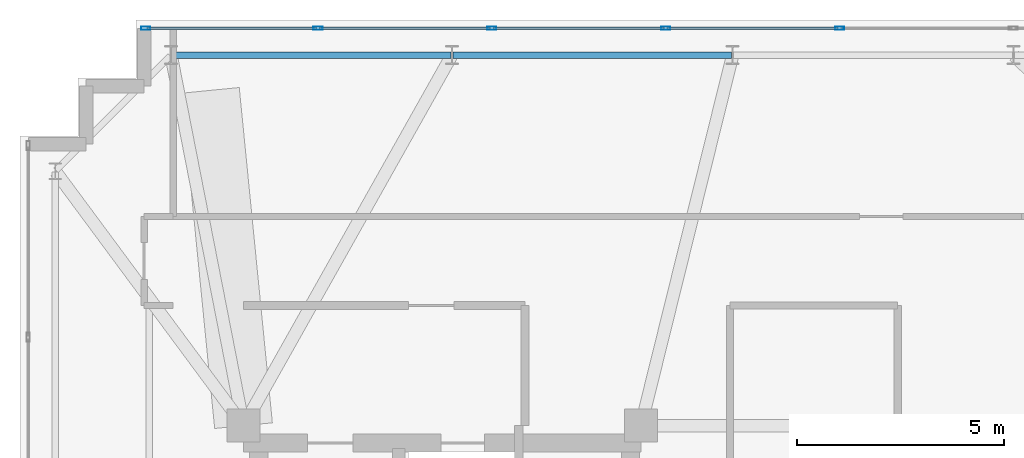
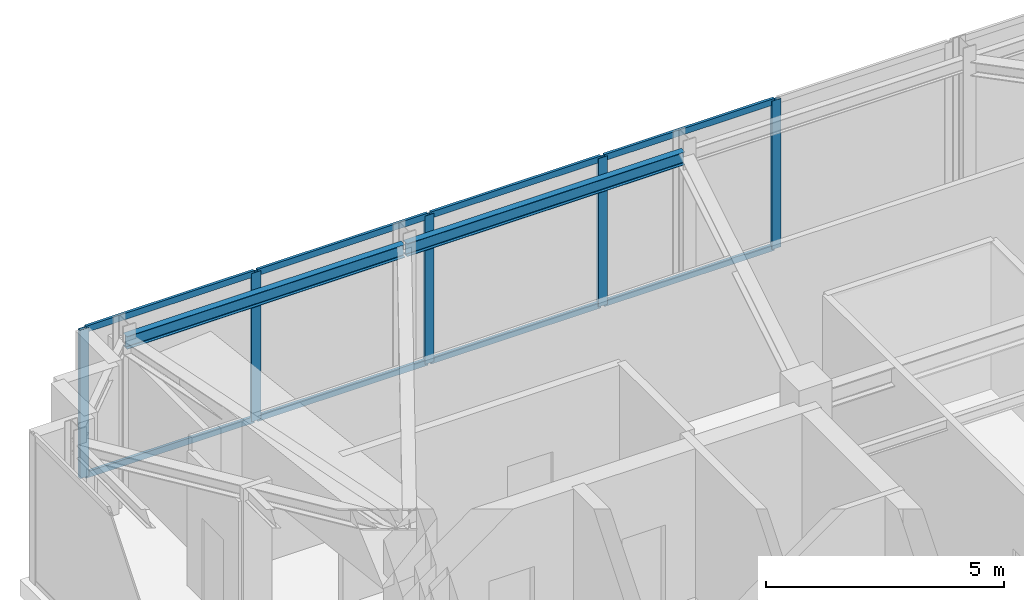
# One storey, part 18 of 27: 13 members, 2 beams, 1 element without a shape of its own.
"""IFC4 building model written with IfcOpenShell, lengths in metres."""

import ifcopenshell
import ifcopenshell.guid

model = None  # the IFC model being written
_history = None  # IfcOwnerHistory: only IFC2X3 demands one
_inside = {}  # id of a spatial element -> (the spatial element, [elements in it])
_under = {}  # id of a project, library or spatial element -> (it, [spatial elements below it])
_declared = {}  # id of a project -> (the project, [libraries it declares])
_typed = {}  # id of a type object -> (the type object, [elements of that type])
_made_of = {}  # id of a material, layer set ... -> (it, [elements and type objects made of it])


def new_model(schema):
    """Start an empty IFC model of exactly this schema.

    Asked for "IFC4X3", IfcOpenShell would pick the latest addendum, in which some entities
    have other attributes; the version numbers below select the first issue.
    IFC2X3 requires an IfcOwnerHistory on every rooted entity: one is made here for all.
    """
    global model, _history
    if schema == "IFC4X3":
        model = ifcopenshell.file(schema_version=(4, 3, 0, 0))
    else:
        model = ifcopenshell.file(schema=schema)
    _inside.clear()
    _under.clear()
    _declared.clear()
    _typed.clear()
    _made_of.clear()
    _history = None
    if model.schema == "IFC2X3":
        org = make("IfcOrganization", Name="unknown")
        user = make(
            "IfcPersonAndOrganization",
            ThePerson=make("IfcPerson", FamilyName="unknown"),
            TheOrganization=org,
        )
        app = make(
            "IfcApplication",
            ApplicationDeveloper=org,
            Version="unknown",
            ApplicationFullName="unknown",
            ApplicationIdentifier="unknown",
        )
        _history = make(
            "IfcOwnerHistory",
            OwningUser=user,
            OwningApplication=app,
            ChangeAction="ADDED",
            CreationDate=0,
        )
    return model


def make(cls, **values):
    """One entity of the class cls with the attributes given. An attribute that is None is left unset."""
    return model.create_entity(
        cls, **{name: value for name, value in values.items() if value is not None}
    )


def rooted(cls, **values):
    """An entity with a GlobalId (a new one), such as an element, a storey or a relation."""
    return make(cls, GlobalId=ifcopenshell.guid.new(), OwnerHistory=_history, **values)


def si_unit(unit_type, name, prefix=None):
    """IfcSIUnit, for example si_unit("LENGTHUNIT", "METRE", prefix="MILLI")."""
    return make("IfcSIUnit", UnitType=unit_type, Prefix=prefix, Name=name)


def assignment(units):
    """IfcUnitAssignment: the units of a project."""
    return None if units is None else make("IfcUnitAssignment", Units=units)


def point(xyz):
    """IfcCartesianPoint."""
    return None if xyz is None else make("IfcCartesianPoint", Coordinates=xyz)


def direction(xyz):
    """IfcDirection."""
    return None if xyz is None else make("IfcDirection", DirectionRatios=xyz)


def frame(location, z_axis=None, x_axis=None):
    """IfcAxis2Placement3D, a coordinate frame: its origin and axes. An axis left out is left unset."""
    return make(
        "IfcAxis2Placement3D",
        Location=point(location),
        Axis=direction(z_axis),
        RefDirection=direction(x_axis),
    )


def frame_2d(location, x_axis=None):
    """IfcAxis2Placement2D, a coordinate frame in the plane: its origin and x axis."""
    return make(
        "IfcAxis2Placement2D", Location=point(location), RefDirection=direction(x_axis)
    )


def origin():
    """The frame at (0, 0, 0) with its axes left unset."""
    return frame((0.0, 0.0, 0.0))


def origin_2d():
    """The frame at (0, 0) in the plane with its x axis left unset."""
    return frame_2d((0.0, 0.0))


def place(relative_to, where):
    """IfcLocalPlacement: puts the frame where relative to a parent placement (None: the world)."""
    return make(
        "IfcLocalPlacement", PlacementRelTo=relative_to, RelativePlacement=where
    )


def context(
    kind, dimensions, precision=None, world=None, true_north=None, identifier=None
):
    """IfcGeometricRepresentationContext, for example the 3D "Model" context."""
    return make(
        "IfcGeometricRepresentationContext",
        ContextIdentifier=identifier,
        ContextType=kind,
        CoordinateSpaceDimension=dimensions,
        Precision=precision,
        WorldCoordinateSystem=world,
        TrueNorth=true_north,
    )


def subcontext(parent, identifier, kind, view, scale=None):
    """IfcGeometricRepresentationSubContext, for example "Body" below "Model"."""
    return make(
        "IfcGeometricRepresentationSubContext",
        ContextIdentifier=identifier,
        ContextType=kind,
        ParentContext=parent,
        TargetScale=scale,
        TargetView=view,
    )


def project(units=None, contexts=None):
    """IfcProject with its units and contexts."""
    return rooted(
        "IfcProject",
        Name="project",
        RepresentationContexts=contexts,
        UnitsInContext=assignment(units),
    )


def spatial(cls, under=None, at=None, **own):
    """A site, building, storey or space (cls), placed at a placement, below another one or the project."""
    s = rooted(cls, ObjectPlacement=at, **own)
    if under is not None:
        _under.setdefault(under.id(), (under, []))[1].append(s)
    return s


def profile(cls, at=None, kind="AREA", **sizes):
    """A parametric profile (cls). Its sizes go by their IFC names, for example OverallWidth=200.0."""
    return make(cls, ProfileType=kind, Position=at, **sizes)


def hollow_rectangle(**sizes):
    """IfcRectangleHollowProfileDef."""
    return profile("IfcRectangleHollowProfileDef", **sizes)


def i_section(**sizes):
    """IfcIShapeProfileDef."""
    return profile("IfcIShapeProfileDef", **sizes)


def extrude(swept, where, along, depth):
    """IfcExtrudedAreaSolid: the profile swept, set in the frame where, extruded along a direction by depth."""
    return make(
        "IfcExtrudedAreaSolid",
        SweptArea=swept,
        Position=where,
        ExtrudedDirection=direction(along),
        Depth=depth,
    )


def shape(context_of_items, identifier, shape_type, items):
    """IfcShapeRepresentation: the items that make up one representation, for example the "Body"."""
    return make(
        "IfcShapeRepresentation",
        ContextOfItems=context_of_items,
        RepresentationIdentifier=identifier,
        RepresentationType=shape_type,
        Items=items,
    )


def material(Name=None, Category=None):
    """IfcMaterial."""
    return make("IfcMaterial", Name=Name, Category=Category)


def layer(
    of_material, thickness, ventilated=None, Name=None, Category=None, Priority=None
):
    """IfcMaterialLayer: one layer of a wall or slab, of a material (None: an air gap)."""
    return make(
        "IfcMaterialLayer",
        Material=of_material,
        LayerThickness=thickness,
        IsVentilated=ventilated,
        Name=Name,
        Category=Category,
        Priority=Priority,
    )


def layer_set(layers, Name=None):
    """IfcMaterialLayerSet."""
    return make("IfcMaterialLayerSet", MaterialLayers=layers, LayerSetName=Name)


def material_profile(
    of_material, cross_section, Name=None, Category=None, Priority=None
):
    """IfcMaterialProfile: a cross section and its material."""
    return make(
        "IfcMaterialProfile",
        Name=Name,
        Material=of_material,
        Profile=cross_section,
        Priority=Priority,
        Category=Category,
    )


def profile_set(profiles, Name=None, composite=None):
    """IfcMaterialProfileSet."""
    return make(
        "IfcMaterialProfileSet",
        Name=Name,
        MaterialProfiles=profiles,
        CompositeProfile=composite,
    )


def made_of(thing, what):
    """Note that an element or type object is made of a material, layer set ...; save() writes the relation."""
    if what is not None:
        _made_of.setdefault(what.id(), (what, []))[1].append(thing)
    return thing


def type_object(cls, material=None, **own):
    """A type object (cls), such as IfcWallType, which elements share."""
    return made_of(rooted(cls, **own), material)


def element(
    cls,
    number,
    at=None,
    inside=None,
    cuts=None,
    type_object=None,
    material=None,
    context=None,
    identifier="Body",
    shape_type=None,
    held_by="IfcProductDefinitionShape",
    body=None,
    shapes=None,
    **own,
):
    """One element of the class cls, such as IfcWall. Its Tag is "e" and its number.

    at: its placement. inside: the storey or other place that contains it. cuts: it is an
    opening in that element (IfcRelVoidsElement). A single representation is given by context,
    identifier, shape_type and body (its items); several are given by shapes. held_by: the class
    of the entity that holds the representations. save() writes the other relations.
    """
    e = rooted(cls, Tag="e%d" % number, ObjectPlacement=at, **own)
    if body is not None:
        shapes = [shape(context, identifier, shape_type, body)]
    if shapes is not None:
        e.Representation = make(held_by, Representations=shapes)
    if inside is not None:
        _inside.setdefault(inside.id(), (inside, []))[1].append(e)
    if cuts is not None:
        rooted(
            "IfcRelVoidsElement", RelatingBuildingElement=cuts, RelatedOpeningElement=e
        )
    if type_object is not None:
        _typed.setdefault(type_object.id(), (type_object, []))[1].append(e)
    return made_of(e, material)


def aggregate(whole, parts):
    """IfcRelAggregates: a whole, such as a stair, and the parts it consists of."""
    return rooted("IfcRelAggregates", RelatingObject=whole, RelatedObjects=parts)


def save(model, path):
    """Write the relations noted so far, then the file.

    IfcRelAggregates (storeys below a building ...), IfcRelContainedInSpatialStructure (elements
    in a storey), IfcRelDefinesByType, IfcRelAssociatesMaterial and IfcRelDeclares: one each for
    every whole, place, type object, material and project.
    """
    for whole, parts in _under.values():
        aggregate(whole, parts)
    for where, things in _inside.values():
        rooted(
            "IfcRelContainedInSpatialStructure",
            RelatedElements=things,
            RelatingStructure=where,
        )
    for kind, things in _typed.values():
        rooted("IfcRelDefinesByType", RelatedObjects=things, RelatingType=kind)
    for what, things in _made_of.values():
        rooted("IfcRelAssociatesMaterial", RelatedObjects=things, RelatingMaterial=what)
    for by, libraries in _declared.values():
        rooted("IfcRelDeclares", RelatingContext=by, RelatedDefinitions=libraries)
    model.write(path)


model = new_model("IFC4")

# Units and contexts
model_context = context("Model", 3, precision=1e-05, world=origin(), true_north=direction((0.0, 1.0)))
body_context = subcontext(model_context, "Body", "Model", "MODEL_VIEW")
ifc_project = project(units=[si_unit("LENGTHUNIT", "METRE"), si_unit("AREAUNIT", "SQUARE_METRE"), si_unit("VOLUMEUNIT", "CUBIC_METRE"), si_unit("PLANEANGLEUNIT", "RADIAN"), si_unit("MASSUNIT", "GRAM", prefix="KILO")], contexts=[model_context])

# Site, building, storey
site_placement = place(None, origin())
site = spatial("IfcSite", under=ifc_project, at=site_placement, CompositionType="ELEMENT")
building_placement = place(site_placement, origin())
building = spatial("IfcBuilding", under=site, at=building_placement, Name="Qobustan Lattice House", CompositionType="ELEMENT")
storey_placement = place(building_placement, frame((0.0, 0.0, 266.0)))
storey = spatial("IfcBuildingStorey", under=building, at=storey_placement, Name="L75", CompositionType="ELEMENT", Elevation=266.0)

# Beams
ifc_material_1 = material(Name="Steel S355", Category="steel")
ifc_material_profile_1 = material_profile(ifc_material_1, i_section(OverallWidth=0.159912109375, OverallDepth=0.330078125, WebThickness=0.007568359375, FlangeThickness=0.011474609375, FilletRadius=0.01806640625, at=origin_2d()), Name="IPE330")
ifc_profile_set_1 = profile_set([ifc_material_profile_1], Name="Steel S355")
beam_type = type_object("IfcBeamType", Name="BM-SPD-IPE330", PredefinedType="SPANDREL", material=ifc_profile_set_1)
beam_1_placement = place(storey_placement, frame((-7.00830078125, 14.550048828125, 3.635009765625), z_axis=(-1.0, 0.0, 0.0), x_axis=(0.0, -1.0, 0.0)))
element("IfcBeam", 1, at=beam_1_placement, inside=storey, type_object=beam_type, Name="L75 perimeter spandrel N5-N6", PredefinedType="SPANDREL", context=body_context, shape_type="SweptSolid", body=[
    extrude(i_section(OverallWidth=0.159912109375, OverallDepth=0.330078125, WebThickness=0.007568359375, FlangeThickness=0.011474609375, FilletRadius=0.01806640625, at=origin_2d()), origin(), (0.0, 0.0, 1.0), 6.7333984375),
])
beam_2_placement = place(storey_placement, frame((-13.791748046875, 14.550048828125, 3.635009765625), z_axis=(-1.0, 0.0, 0.0), x_axis=(0.0, -1.0, 0.0)))
element("IfcBeam", 2, at=beam_2_placement, inside=storey, type_object=beam_type, Name="L75 perimeter spandrel N6-N7", PredefinedType="SPANDREL", context=body_context, shape_type="SweptSolid", body=[
    extrude(i_section(OverallWidth=0.159912109375, OverallDepth=0.330078125, WebThickness=0.007568359375, FlangeThickness=0.011474609375, FilletRadius=0.01806640625, at=origin_2d()), origin(), (0.0, 0.0, 1.0), 6.733154296875),
])

# Curtain wall, members
ifc_material_2 = material(Name="Anodised aluminium and low-E glazing", Category="aluminium")
ifc_layer = layer(ifc_material_2, 0.219970703125)
ifc_layer_set = layer_set([ifc_layer], Name="Anodised aluminium and low-E glazing")
curtain_wall_type = type_object("IfcCurtainWallType", Name="CW-OBS-01", PredefinedType="USERDEFINED", material=ifc_layer_set)
curtain_wall_placement = place(storey_placement, origin())
curtain_wall = element("IfcCurtainWall", 3, at=curtain_wall_placement, inside=storey, type_object=curtain_wall_type, Name="L75 N panoramic observation curtain wall", ObjectType="CURTAIN WALL", PredefinedType="USERDEFINED")
ifc_material_3 = material(Name="Anodised aluminium EN AW-6063 T6", Category="aluminium")
ifc_material_profile_2 = material_profile(ifc_material_3, hollow_rectangle(XDim=0.080078125, YDim=0.219970703125, WallThickness=0.0048828125, at=origin_2d()), Name="CWM-220x80")
ifc_profile_set_2 = profile_set([ifc_material_profile_2], Name="Anodised aluminium EN AW-6063 T6")
member_type_1 = type_object("IfcMemberType", Name="CWM-MAIN-220", PredefinedType="MULLION", material=ifc_profile_set_2)
member_1_placement = place(storey_placement, frame((-21.159912109375, 15.199951171875, 0.0), z_axis=(0.0, 0.0, 1.0), x_axis=(0.0, 1.0, 0.0)))
member_1 = element("IfcMember", 4, at=member_1_placement, type_object=member_type_1, Name="CW-OB mullion 1", PredefinedType="MULLION", context=body_context, shape_type="SweptSolid", body=[
    extrude(hollow_rectangle(XDim=0.080078125, YDim=0.219970703125, WallThickness=0.0048828125, at=origin_2d()), origin(), (0.0, 0.0, 1.0), 3.800048828125),
])
member_2_placement = place(storey_placement, frame((-17.0, 15.199951171875, 0.0), z_axis=(0.0, 0.0, 1.0), x_axis=(0.0, 1.0, 0.0)))
member_2 = element("IfcMember", 5, at=member_2_placement, type_object=member_type_1, Name="CW-OB mullion 2", PredefinedType="MULLION", context=body_context, shape_type="SweptSolid", body=[
    extrude(hollow_rectangle(XDim=0.080078125, YDim=0.219970703125, WallThickness=0.0048828125, at=origin_2d()), origin(), (0.0, 0.0, 1.0), 3.800048828125),
])
member_3_placement = place(storey_placement, frame((-12.800048828125, 15.199951171875, 0.0), z_axis=(0.0, 0.0, 1.0), x_axis=(0.0, 1.0, 0.0)))
member_3 = element("IfcMember", 6, at=member_3_placement, type_object=member_type_1, Name="CW-OB mullion 3", PredefinedType="MULLION", context=body_context, shape_type="SweptSolid", body=[
    extrude(hollow_rectangle(XDim=0.080078125, YDim=0.219970703125, WallThickness=0.0048828125, at=origin_2d()), origin(), (0.0, 0.0, 1.0), 3.800048828125),
])
member_4_placement = place(storey_placement, frame((-8.60009765625, 15.199951171875, 0.0), z_axis=(0.0, 0.0, 1.0), x_axis=(0.0, 1.0, 0.0)))
member_4 = element("IfcMember", 7, at=member_4_placement, type_object=member_type_1, Name="CW-OB mullion 4", PredefinedType="MULLION", context=body_context, shape_type="SweptSolid", body=[
    extrude(hollow_rectangle(XDim=0.080078125, YDim=0.219970703125, WallThickness=0.0048828125, at=origin_2d()), origin(), (0.0, 0.0, 1.0), 3.800048828125),
])
member_5_placement = place(storey_placement, frame((-4.39990234375, 15.199951171875, 0.0), z_axis=(0.0, 0.0, 1.0), x_axis=(0.0, 1.0, 0.0)))
member_5 = element("IfcMember", 8, at=member_5_placement, type_object=member_type_1, Name="CW-OB mullion 5", PredefinedType="MULLION", context=body_context, shape_type="SweptSolid", body=[
    extrude(hollow_rectangle(XDim=0.080078125, YDim=0.219970703125, WallThickness=0.0048828125, at=origin_2d()), origin(), (0.0, 0.0, 1.0), 3.800048828125),
])
ifc_material_4 = material(Name="Anodised aluminium EN AW-6063 T6", Category="aluminium")
ifc_material_profile_3 = material_profile(ifc_material_4, hollow_rectangle(XDim=0.06494140625, YDim=0.159912109375, WallThickness=0.00390625, at=origin_2d()), Name="CWT-160x65")
ifc_profile_set_3 = profile_set([ifc_material_profile_3], Name="Anodised aluminium EN AW-6063 T6")
member_type_2 = type_object("IfcMemberType", Name="CWT-HOR-160", PredefinedType="USERDEFINED", material=ifc_profile_set_3)
member_6_placement = place(storey_placement, frame((-21.1201171875, 15.199951171875, 0.032470703125), z_axis=(1.0, 0.0, 0.0), x_axis=(0.0, 1.0, 0.0)))
member_6 = element("IfcMember", 9, at=member_6_placement, type_object=member_type_2, Name="CW-OB transom 1.1", ObjectType="TRANSOM", PredefinedType="USERDEFINED", context=body_context, shape_type="SweptSolid", body=[
    extrude(hollow_rectangle(XDim=0.06494140625, YDim=0.159912109375, WallThickness=0.00390625, at=origin_2d()), origin(), (0.0, 0.0, 1.0), 4.080078125),
])
member_7_placement = place(storey_placement, frame((-21.1201171875, 15.199951171875, 3.767578125), z_axis=(1.0, 0.0, 0.0), x_axis=(0.0, 1.0, 0.0)))
member_7 = element("IfcMember", 10, at=member_7_placement, type_object=member_type_2, Name="CW-OB transom 1.2", ObjectType="TRANSOM", PredefinedType="USERDEFINED", context=body_context, shape_type="SweptSolid", body=[
    extrude(hollow_rectangle(XDim=0.06494140625, YDim=0.159912109375, WallThickness=0.00390625, at=origin_2d()), origin(), (0.0, 0.0, 1.0), 4.080078125),
])
member_8_placement = place(storey_placement, frame((-16.9599609375, 15.199951171875, 0.032470703125), z_axis=(1.0, 0.0, 0.0), x_axis=(0.0, 1.0, 0.0)))
member_8 = element("IfcMember", 11, at=member_8_placement, type_object=member_type_2, Name="CW-OB transom 2.1", ObjectType="TRANSOM", PredefinedType="USERDEFINED", context=body_context, shape_type="SweptSolid", body=[
    extrude(hollow_rectangle(XDim=0.06494140625, YDim=0.159912109375, WallThickness=0.00390625, at=origin_2d()), origin(), (0.0, 0.0, 1.0), 4.119873046875),
])
member_9_placement = place(storey_placement, frame((-16.9599609375, 15.199951171875, 3.767578125), z_axis=(1.0, 0.0, 0.0), x_axis=(0.0, 1.0, 0.0)))
member_9 = element("IfcMember", 12, at=member_9_placement, type_object=member_type_2, Name="CW-OB transom 2.2", ObjectType="TRANSOM", PredefinedType="USERDEFINED", context=body_context, shape_type="SweptSolid", body=[
    extrude(hollow_rectangle(XDim=0.06494140625, YDim=0.159912109375, WallThickness=0.00390625, at=origin_2d()), origin(), (0.0, 0.0, 1.0), 4.119873046875),
])
member_10_placement = place(storey_placement, frame((-12.760009765625, 15.199951171875, 0.032470703125), z_axis=(1.0, 0.0, 0.0), x_axis=(0.0, 1.0, 0.0)))
member_10 = element("IfcMember", 13, at=member_10_placement, type_object=member_type_2, Name="CW-OB transom 3.1", ObjectType="TRANSOM", PredefinedType="USERDEFINED", context=body_context, shape_type="SweptSolid", body=[
    extrude(hollow_rectangle(XDim=0.06494140625, YDim=0.159912109375, WallThickness=0.00390625, at=origin_2d()), origin(), (0.0, 0.0, 1.0), 4.1201171875),
])
member_11_placement = place(storey_placement, frame((-12.760009765625, 15.199951171875, 3.767578125), z_axis=(1.0, 0.0, 0.0), x_axis=(0.0, 1.0, 0.0)))
member_11 = element("IfcMember", 14, at=member_11_placement, type_object=member_type_2, Name="CW-OB transom 3.2", ObjectType="TRANSOM", PredefinedType="USERDEFINED", context=body_context, shape_type="SweptSolid", body=[
    extrude(hollow_rectangle(XDim=0.06494140625, YDim=0.159912109375, WallThickness=0.00390625, at=origin_2d()), origin(), (0.0, 0.0, 1.0), 4.1201171875),
])
member_12_placement = place(storey_placement, frame((-8.56005859375, 15.199951171875, 0.032470703125), z_axis=(1.0, 0.0, 0.0), x_axis=(0.0, 1.0, 0.0)))
member_12 = element("IfcMember", 15, at=member_12_placement, type_object=member_type_2, Name="CW-OB transom 4.1", ObjectType="TRANSOM", PredefinedType="USERDEFINED", context=body_context, shape_type="SweptSolid", body=[
    extrude(hollow_rectangle(XDim=0.06494140625, YDim=0.159912109375, WallThickness=0.00390625, at=origin_2d()), origin(), (0.0, 0.0, 1.0), 4.1201171875),
])
member_13_placement = place(storey_placement, frame((-8.56005859375, 15.199951171875, 3.767578125), z_axis=(1.0, 0.0, 0.0), x_axis=(0.0, 1.0, 0.0)))
member_13 = element("IfcMember", 16, at=member_13_placement, type_object=member_type_2, Name="CW-OB transom 4.2", ObjectType="TRANSOM", PredefinedType="USERDEFINED", context=body_context, shape_type="SweptSolid", body=[
    extrude(hollow_rectangle(XDim=0.06494140625, YDim=0.159912109375, WallThickness=0.00390625, at=origin_2d()), origin(), (0.0, 0.0, 1.0), 4.1201171875),
])
aggregate(curtain_wall, [member_1, member_2, member_3, member_4, member_5, member_6, member_7, member_8, member_9, member_10, member_11, member_12, member_13])

save(model, "model.ifc")
